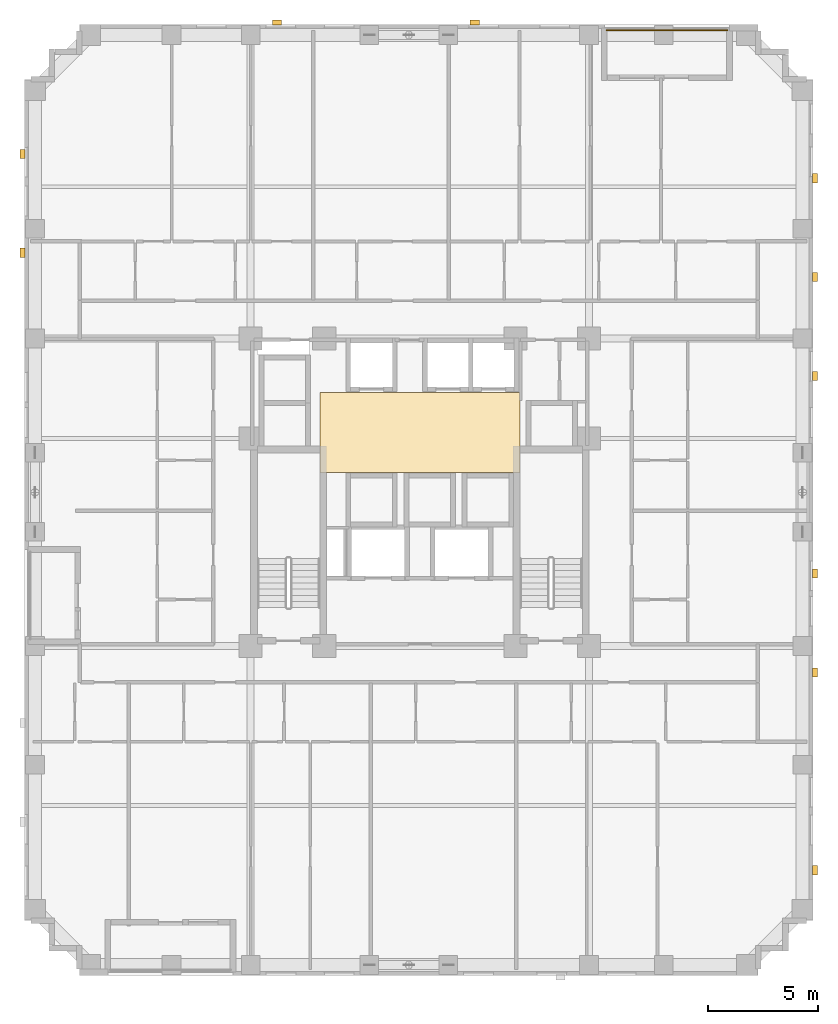
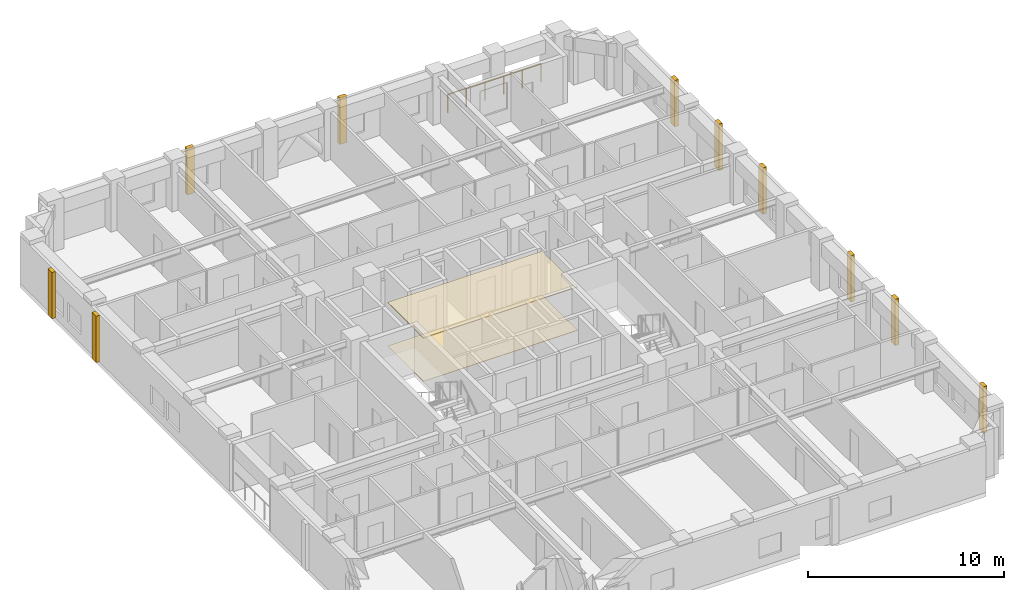
# One storey, part 12 of 12: 12 coverings, 1 railing.
"""IFC4 building model written with IfcOpenShell, lengths in metres."""

from ifc_helpers import new_model, si_unit, derived_unit, direction, frame, origin, origin_2d, place, context, subcontext, project, spatial, polyline, rectangle, circle, outline, extrude, material, layer, layer_set, type_object, element, save


model = new_model("IFC4")

# Units and contexts
model_context = context("Model", 3, precision=1e-05, world=origin(), true_north=direction((0.0, 1.0)))
body_context = subcontext(model_context, "Body", "Model", "MODEL_VIEW")
ifc_project = project(units=[si_unit("LENGTHUNIT", "METRE"), si_unit("AREAUNIT", "SQUARE_METRE"), si_unit("VOLUMEUNIT", "CUBIC_METRE"), si_unit("PLANEANGLEUNIT", "RADIAN"), si_unit("MASSUNIT", "GRAM", prefix="KILO"), derived_unit("THERMALTRANSMITTANCEUNIT", [(si_unit("MASSUNIT", "GRAM", prefix="KILO"), 1), (si_unit("TIMEUNIT", "SECOND"), -3), (si_unit("THERMODYNAMICTEMPERATUREUNIT", "KELVIN"), -1)])], contexts=[model_context])

# Site, building, storey
site_placement = place(None, origin())
site = spatial("IfcSite", under=ifc_project, at=site_placement, CompositionType="ELEMENT")
building_placement = place(site_placement, origin())
building = spatial("IfcBuilding", under=site, at=building_placement, Name="Korrvale Station Residences", CompositionType="ELEMENT")
storey_placement = place(building_placement, frame((0.0, 0.0, 94.300048828125)))
storey = spatial("IfcBuildingStorey", under=building, at=storey_placement, Name="L26", CompositionType="ELEMENT", Elevation=94.300048828125)

# Coverings
ifc_material_1 = material(Name="Perforated acoustic mineral-fibre suspended ceiling", Category="gypsum")
ifc_layer_1 = layer(ifc_material_1, 0.050048828125, Name="Perforated acoustic mineral-fibre suspended ceiling")
ifc_layer_set_1 = layer_set([ifc_layer_1], Name="Perforated acoustic mineral-fibre suspended ceiling")
covering_type_1 = type_object("IfcCoveringType", Name="COV-CLG-AC60", PredefinedType="CEILING", material=ifc_layer_set_1)
covering_1_placement = place(storey_placement, frame((0.0, 0.0, 2.68994140625)))
element("IfcCovering", 1, at=covering_1_placement, inside=storey, type_object=covering_type_1, Name="L26 Elevator Lobby Acoustic Ceiling", PredefinedType="CEILING", context=body_context, shape_type="SweptSolid", body=[
    extrude(outline(polyline([(20.949951171875, 22.89990234375), (30.050048828125, 22.89990234375), (30.050048828125, 26.550048828125), (20.949951171875, 26.550048828125), (20.949951171875, 22.89990234375)])), origin(), (0.0, 0.0, 1.0), 0.050048828125),
])
ifc_material_2 = material(Name="Polished quartz-terrazzo lobby flooring", Category="masonry")
ifc_layer_2 = layer(ifc_material_2, 0.02001953125, Name="Polished quartz-terrazzo lobby flooring")
ifc_layer_set_2 = layer_set([ifc_layer_2], Name="Polished quartz-terrazzo lobby flooring")
covering_type_2 = type_object("IfcCoveringType", Name="COV-FLR-TER20", PredefinedType="FLOORING", material=ifc_layer_set_2)
covering_2_placement = place(storey_placement, origin())
element("IfcCovering", 2, at=covering_2_placement, inside=storey, type_object=covering_type_2, Name="L26 Elevator Lobby Terrazzo Flooring", PredefinedType="FLOORING", context=body_context, shape_type="SweptSolid", body=[
    extrude(outline(polyline([(20.949951171875, 22.89990234375), (30.050048828125, 22.89990234375), (30.050048828125, 26.550048828125), (20.949951171875, 26.550048828125), (20.949951171875, 22.89990234375)])), origin(), (0.0, 0.0, 1.0), 0.02001953125),
])
ifc_material_3 = material(Name="Architectural precast concrete C45/55", Category="concrete")
ifc_layer_3 = layer(ifc_material_3, 0.219970703125, Name="Architectural precast concrete C45/55")
ifc_layer_set_3 = layer_set([ifc_layer_3], Name="Architectural precast concrete C45/55")
covering_type_3 = type_object("IfcCoveringType", Name="COV-PIER-400", PredefinedType="CLADDING", material=ifc_layer_set_3)
for number, where, z_axis, x_axis, name in (
    (3, (19.0, 43.389892578125, 0.02490234375), (0.0, 0.0, 1.0), (1.0, 0.0, 0.0), "L26 Architectural Precast Facade Pier 02"),
    (4, (28.0, 43.389892578125, 0.02490234375), (0.0, 0.0, 1.0), (1.0, 0.0, 0.0), "L26 Architectural Precast Facade Pier 03"),
    (5, (7.409912109375, 32.89990234375, 0.02490234375), (0.0, 0.0, 1.0), (0.0, 1.0, 0.0), "L26 Architectural Precast Facade Pier 06"),
    (6, (7.409912109375, 37.39990234375, 0.02490234375), (0.0, 0.0, 1.0), (0.0, 1.0, 0.0), "L26 Architectural Precast Facade Pier 07"),
    (7, (43.489990234375, 36.300048828125, 0.02490234375), (0.0, 0.0, 1.0), (0.0, 1.0, 0.0), "L26 Architectural Precast Facade Pier 08"),
    (8, (43.489990234375, 31.800048828125, 0.02490234375), (0.0, 0.0, 1.0), (0.0, 1.0, 0.0), "L26 Architectural Precast Facade Pier 09"),
    (9, (43.489990234375, 27.300048828125, 0.02490234375), (0.0, 0.0, 1.0), (0.0, 1.0, 0.0), "L26 Architectural Precast Facade Pier 10"),
    (10, (43.489990234375, 18.300048828125, 0.02490234375), (0.0, 0.0, 1.0), (0.0, 1.0, 0.0), "L26 Architectural Precast Facade Pier 11"),
    (11, (43.489990234375, 13.800048828125, 0.02490234375), (0.0, 0.0, 1.0), (0.0, 1.0, 0.0), "L26 Architectural Precast Facade Pier 12"),
    (12, (43.489990234375, 4.800048828125, 0.02490234375), (0.0, 0.0, 1.0), (0.0, 1.0, 0.0), "L26 Architectural Precast Facade Pier 13"),
):
    element("IfcCovering", number, at=place(storey_placement, frame(where, z_axis=z_axis, x_axis=x_axis)), inside=storey, type_object=covering_type_3, Name=name, PredefinedType="CLADDING", context=body_context, shape_type="SweptSolid", body=[
        extrude(rectangle(XDim=0.419921875, YDim=0.219970703125, at=origin_2d()), origin(), (0.0, 0.0, 1.0), 2.889892578125),
    ])

# Railing
ifc_material_4 = material(Name="Powder-coated aluminium picket loggia guard", Category="aluminium")
railing_type = type_object("IfcRailingType", Name="RLG-BAL-1150", PredefinedType="GUARDRAIL", material=ifc_material_4)
railing_placement = place(storey_placement, frame((34.0, 43.030029296875, 0.0)))
element("IfcRailing", 13, at=railing_placement, inside=storey, type_object=railing_type, Name="L26 Recessed Loggia Guardrail BAL-L26-N1", PredefinedType="GUARDRAIL", context=body_context, shape_type="SweptSolid", body=[
    extrude(circle(Radius=0.02392578125, at=origin_2d()), frame((0.0, 0.0, 1.1259765625), z_axis=(1.0, 0.0, 0.0), x_axis=(0.0, 1.0, 0.0)), (0.0, 0.0, 1.0), 5.5),
    extrude(circle(Radius=0.02099609375, at=origin_2d()), origin(), (0.0, 0.0, 1.0), 1.101806640625),
    extrude(circle(Radius=0.02099609375, at=origin_2d()), frame((1.10009765625, 0.0, 0.0)), (0.0, 0.0, 1.0), 1.101806640625),
    extrude(circle(Radius=0.02099609375, at=origin_2d()), frame((2.199951171875, 0.0, 0.0)), (0.0, 0.0, 1.0), 1.101806640625),
    extrude(circle(Radius=0.02099609375, at=origin_2d()), frame((3.300048828125, 0.0, 0.0)), (0.0, 0.0, 1.0), 1.101806640625),
    extrude(circle(Radius=0.02099609375, at=origin_2d()), frame((4.39990234375, 0.0, 0.0)), (0.0, 0.0, 1.0), 1.101806640625),
    extrude(circle(Radius=0.02099609375, at=origin_2d()), frame((5.5, 0.0, 0.0)), (0.0, 0.0, 1.0), 1.101806640625),
])

save(model, "model.ifc")
